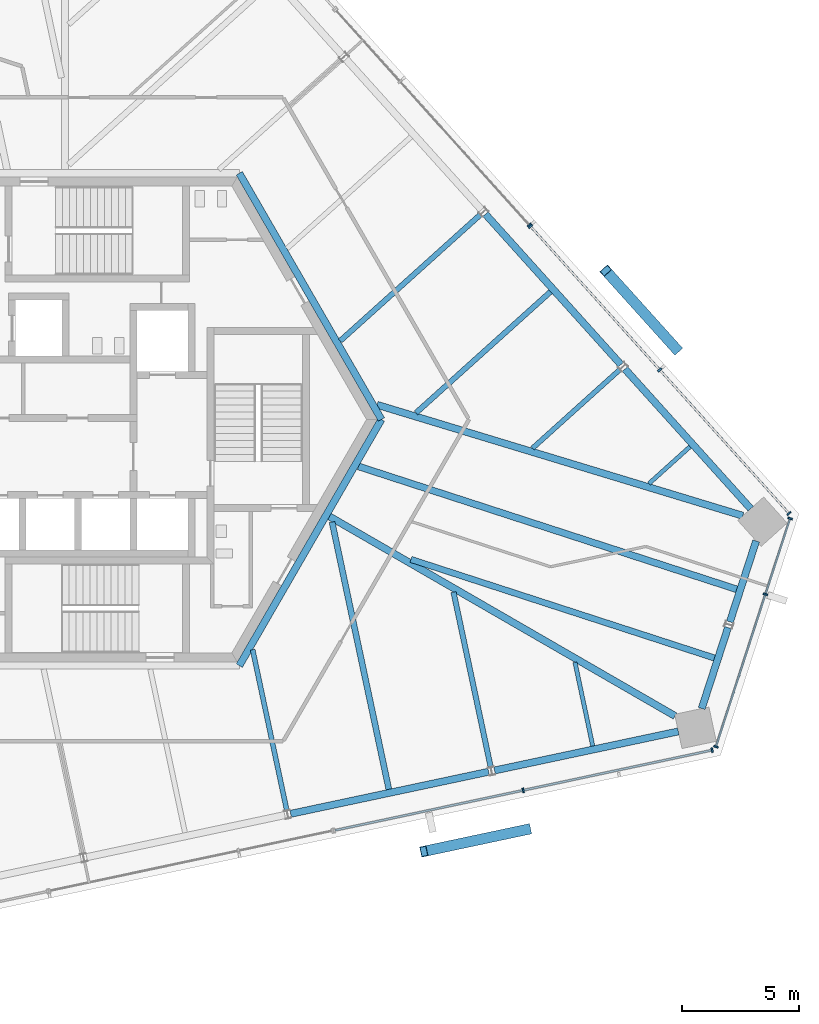
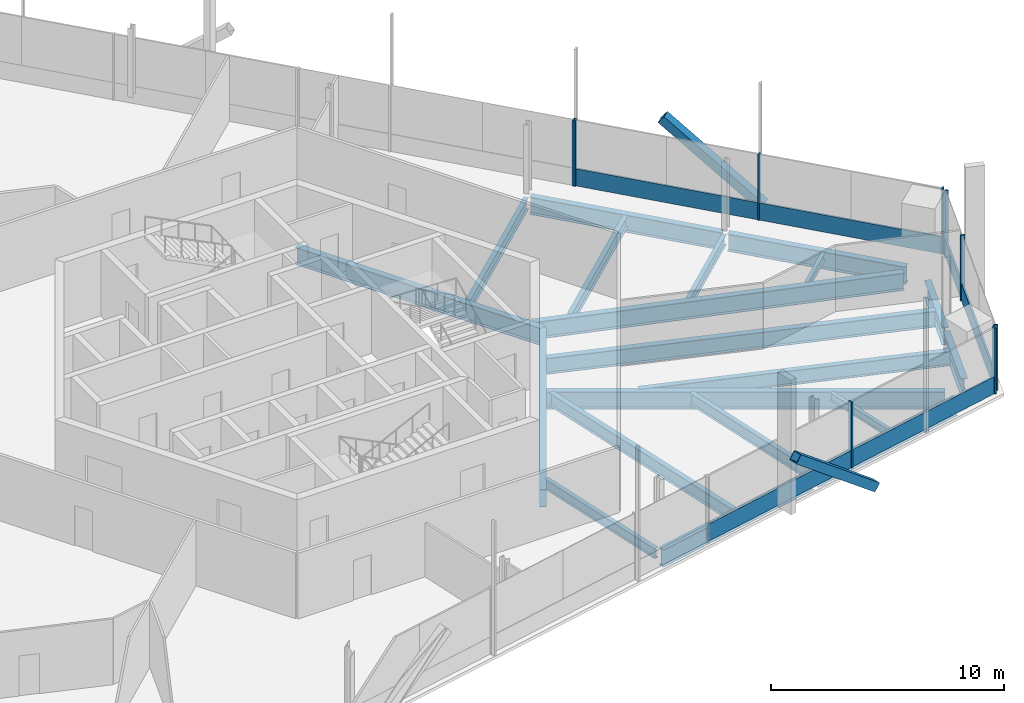
# One storey, part 6 of 16: 20 beams, 17 members, 4 elements without a shape of their own.
"""IFC4 building model written with IfcOpenShell, lengths in metres."""

from ifc_helpers import new_model, si_unit, direction, frame, origin, origin_2d, place, context, subcontext, project, spatial, rectangle, hollow_rectangle, i_section, extrude, source, transform, mapped, material, material_profile, profile_set, type_object, element, aggregate, save


model = new_model("IFC4")

# Units and contexts
model_context = context("Model", 3, precision=1e-05, world=origin(), true_north=direction((0.0, 1.0)))
body_context = subcontext(model_context, "Body", "Model", "MODEL_VIEW")
ifc_project = project(units=[si_unit("LENGTHUNIT", "METRE"), si_unit("AREAUNIT", "SQUARE_METRE"), si_unit("VOLUMEUNIT", "CUBIC_METRE"), si_unit("PLANEANGLEUNIT", "RADIAN"), si_unit("MASSUNIT", "GRAM", prefix="KILO")], contexts=[model_context])

# Site, building, storey
site_placement = place(None, origin())
site = spatial("IfcSite", under=ifc_project, at=site_placement, CompositionType="ELEMENT")
building_placement = place(site_placement, origin())
building = spatial("IfcBuilding", under=site, at=building_placement, Name="Triune Harvest Tower", CompositionType="ELEMENT")
storey_placement = place(building_placement, frame((0.0, 0.0, 266.699951171875)))
storey = spatial("IfcBuildingStorey", under=building, at=storey_placement, Name="L70", CompositionType="ELEMENT", Elevation=266.699951171875)

# Beams
ifc_material_1 = material(Name="Steel ASTM A992 Gr 50", Category="steel")
ifc_material_profile_1 = material_profile(ifc_material_1, i_section(OverallWidth=0.3046875, OverallDepth=0.914306640625, WebThickness=0.0166015625, FlangeThickness=0.02587890625, at=origin_2d()), Name="W36x160")
ifc_profile_set_1 = profile_set([ifc_material_profile_1], Name="Steel ASTM A992 Gr 50")
beam_type_1 = type_object("IfcBeamType", Name="CG-1 Core ring girder W36x160", PredefinedType="BEAM", material=ifc_profile_set_1)
shared_shape_1 = source(origin(), body_context, "Body", "SweptSolid", [
    extrude(i_section(OverallWidth=0.3046875, OverallDepth=0.914306640625, WebThickness=0.0166015625, FlangeThickness=0.02587890625, at=origin_2d()), origin(), (0.0, 0.0, 1.0), 12.176025390625),
])
for number, where, z_axis, x_axis, name in (
    (1, (12.176025390625, 0.0, -0.6171875), (-0.5000099932, 0.866019634131, 0.0), (-0.866019634131, -0.5000099932, 0.0), "beam/L70/CG1"),
    (2, (6.087890625, -10.544677734375, -0.6171875), (0.5000099932, 0.866019634131, 0.0), (-0.866019634131, 0.5000099932, 0.0), "beam/L70/CG6"),
):
    element("IfcBeam", number, at=place(storey_placement, frame(where, z_axis=z_axis, x_axis=x_axis)), inside=storey, type_object=beam_type_1, Name=name, PredefinedType="BEAM", context=body_context, shape_type="MappedRepresentation", body=[
        mapped(shared_shape_1, transform((0.0, 0.0, 0.0), scale=1.0)),
    ])
ifc_material_2 = material(Name="Steel ASTM A992 Gr 50", Category="steel")
ifc_material_profile_2 = material_profile(ifc_material_2, i_section(OverallWidth=0.3046875, OverallDepth=0.914306640625, WebThickness=0.0166015625, FlangeThickness=0.02587890625, at=origin_2d()), Name="W36x160")
ifc_profile_set_2 = profile_set([ifc_material_profile_2], Name="Steel ASTM A992 Gr 50")
beam_type_2 = type_object("IfcBeamType", Name="SB-1 Spandrel beam W36x160", PredefinedType="SPANDREL", material=ifc_profile_set_2)
shared_shape_2 = source(origin(), body_context, "Body", "SweptSolid", [
    extrude(i_section(OverallWidth=0.3046875, OverallDepth=0.914306640625, WebThickness=0.0166015625, FlangeThickness=0.02587890625, at=origin_2d()), origin(), (0.0, 0.0, 1.0), 8.0498046875),
])
beam_1_placement = place(storey_placement, frame((27.991455078125, -3.82177734375, -0.6171875), z_axis=(-0.669137301084, 0.743138797465, 0.0), x_axis=(-0.743138797465, -0.669137301084, 0.0)))
element("IfcBeam", 3, at=beam_1_placement, inside=storey, type_object=beam_type_2, Name="beam/L70/SB1", PredefinedType="SPANDREL", context=body_context, shape_type="MappedRepresentation", body=[
    mapped(shared_shape_2, transform((0.0, 0.0, 0.0), scale=1.0)),
])
shared_shape_3 = source(origin(), body_context, "Body", "SweptSolid", [
    extrude(i_section(OverallWidth=0.3046875, OverallDepth=0.914306640625, WebThickness=0.0166015625, FlangeThickness=0.02587890625, at=origin_2d()), origin(), (0.0, 0.0, 1.0), 8.671630859375),
])
beam_2_placement = place(storey_placement, frame((22.433349609375, 2.350830078125, -0.6171875), z_axis=(-0.669114044563, 0.743159737452, 0.0), x_axis=(-0.743159737452, -0.669114044563, 0.0)))
element("IfcBeam", 4, at=beam_2_placement, inside=storey, type_object=beam_type_2, Name="beam/L70/SB2", PredefinedType="SPANDREL", context=body_context, shape_type="MappedRepresentation", body=[
    mapped(shared_shape_3, transform((0.0, 0.0, 0.0), scale=1.0)),
])
shared_shape_4 = source(origin(), body_context, "Body", "SweptSolid", [
    extrude(i_section(OverallWidth=0.3046875, OverallDepth=0.914306640625, WebThickness=0.0166015625, FlangeThickness=0.02587890625, at=origin_2d()), origin(), (0.0, 0.0, 1.0), 8.67138671875),
])
beam_3_placement = place(storey_placement, frame((8.28515625, -16.890869140625, -0.6171875), z_axis=(0.978145539793, 0.207921386546, 0.0), x_axis=(-0.207921386546, 0.978145539793, 0.0)))
element("IfcBeam", 5, at=beam_3_placement, inside=storey, type_object=beam_type_2, Name="beam/L70/SB18", PredefinedType="SPANDREL", context=body_context, shape_type="MappedRepresentation", body=[
    mapped(shared_shape_4, transform((0.0, 0.0, 0.0), scale=1.0)),
])
shared_shape_5 = source(origin(), body_context, "Body", "SweptSolid", [
    extrude(i_section(OverallWidth=0.3046875, OverallDepth=0.914306640625, WebThickness=0.0166015625, FlangeThickness=0.02587890625, at=origin_2d()), origin(), (0.0, 0.0, 1.0), 3.645751953125),
])
for number, where, z_axis, x_axis, name in (
    (6, (25.89306640625, -12.38134765625, -0.6171875), (0.309046702753, 0.951046862945, 0.0), (-0.951046862945, 0.309046702753, 0.0), "beam/L70/SB20"),
    (7, (27.09912109375, -8.670166015625, -0.6171875), (0.308986131058, 0.951066543841, 0.0), (-0.951066543841, 0.308986131058, 0.0), "beam/L70/SB21"),
):
    element("IfcBeam", number, at=place(storey_placement, frame(where, z_axis=z_axis, x_axis=x_axis)), inside=storey, type_object=beam_type_2, Name=name, PredefinedType="SPANDREL", context=body_context, shape_type="MappedRepresentation", body=[
        mapped(shared_shape_5, transform((0.0, 0.0, 0.0), scale=1.0)),
    ])
shared_shape_6 = source(origin(), body_context, "Body", "SweptSolid", [
    extrude(i_section(OverallWidth=0.3046875, OverallDepth=0.914306640625, WebThickness=0.0166015625, FlangeThickness=0.02587890625, at=origin_2d()), origin(), (0.0, 0.0, 1.0), 8.049560546875),
])
beam_4_placement = place(storey_placement, frame((17.01806640625, -15.034423828125, -0.6171875), z_axis=(0.978148597907, 0.207906999431, 0.0), x_axis=(-0.207906999431, 0.978148597907, 0.0)))
element("IfcBeam", 8, at=beam_4_placement, inside=storey, type_object=beam_type_2, Name="beam/L70/SB19", PredefinedType="SPANDREL", context=body_context, shape_type="MappedRepresentation", body=[
    mapped(shared_shape_6, transform((0.0, 0.0, 0.0), scale=1.0)),
])
ifc_material_3 = material(Name="Steel ASTM A992 Gr 50", Category="steel")
ifc_material_profile_3 = material_profile(ifc_material_3, i_section(OverallWidth=0.3046875, OverallDepth=0.914306640625, WebThickness=0.0166015625, FlangeThickness=0.02587890625, at=origin_2d()), Name="W36x160")
ifc_profile_set_3 = profile_set([ifc_material_profile_3], Name="Steel ASTM A992 Gr 50")
beam_type_3 = type_object("IfcBeamType", Name="HG-3 Hip girder W36x160", PredefinedType="BEAM", material=ifc_profile_set_3)
shared_shape_7 = source(origin(), body_context, "Body", "SweptSolid", [
    extrude(i_section(OverallWidth=0.3046875, OverallDepth=0.914306640625, WebThickness=0.0166015625, FlangeThickness=0.02587890625, at=origin_2d()), origin(), (0.0, 0.0, 1.0), 16.370361328125),
])
beam_5_placement = place(storey_placement, frame((27.65478515625, -4.124755859375, -0.6171875), z_axis=(-0.956924757428, 0.29033602708, 0.0), x_axis=(-0.29033602708, -0.956924757428, 0.0)))
element("IfcBeam", 9, at=beam_5_placement, inside=storey, type_object=beam_type_3, Name="beam/L70/HG1", PredefinedType="BEAM", context=body_context, shape_type="MappedRepresentation", body=[
    mapped(shared_shape_7, transform((0.0, 0.0, 0.0), scale=1.0)),
])
shared_shape_8 = source(origin(), body_context, "Body", "SweptSolid", [
    extrude(i_section(OverallWidth=0.3046875, OverallDepth=0.914306640625, WebThickness=0.0166015625, FlangeThickness=0.02587890625, at=origin_2d()), origin(), (0.0, 0.0, 1.0), 17.088623046875),
])
beam_6_placement = place(storey_placement, frame((24.75146484375, -12.700439453125, -0.6171875), z_axis=(-0.866020709961, 0.500008129852, 0.0), x_axis=(-0.500008129852, -0.866020709961, 0.0)))
element("IfcBeam", 10, at=beam_6_placement, inside=storey, type_object=beam_type_3, Name="beam/L70/HG8", PredefinedType="BEAM", context=body_context, shape_type="MappedRepresentation", body=[
    mapped(shared_shape_8, transform((0.0, 0.0, 0.0), scale=1.0)),
])
ifc_material_4 = material(Name="Steel ASTM A992 Gr 50", Category="steel")
ifc_material_profile_4 = material_profile(ifc_material_4, i_section(OverallWidth=0.180908203125, OverallDepth=0.41650390625, WebThickness=0.010986328125, FlangeThickness=0.01806640625, at=origin_2d()), Name="W16x57")
ifc_profile_set_4 = profile_set([ifc_material_profile_4], Name="Steel ASTM A992 Gr 50")
beam_type_4 = type_object("IfcBeamType", Name="JT-1 Floor joist W16x57", PredefinedType="JOIST", material=ifc_profile_set_4)
shared_shape_9 = source(origin(), body_context, "Body", "SweptSolid", [
    extrude(i_section(OverallWidth=0.180908203125, OverallDepth=0.41650390625, WebThickness=0.010986328125, FlangeThickness=0.01806640625, at=origin_2d()), origin(), (0.0, 0.0, 1.0), 2.364990234375),
])
beam_7_placement = place(storey_placement, frame((25.39306640625, -1.163818359375, -0.3681640625), z_axis=(-0.743196605909, -0.669073093888, 0.0), x_axis=(0.669073093888, -0.743196605909, 0.0)))
element("IfcBeam", 11, at=beam_7_placement, inside=storey, type_object=beam_type_4, Name="beam/L70/JT1", PredefinedType="JOIST", context=body_context, shape_type="MappedRepresentation", body=[
    mapped(shared_shape_9, transform((0.0, 0.0, 0.0), scale=1.0)),
])
ifc_material_5 = material(Name="Steel ASTM A992 Gr 50", Category="steel")
ifc_material_profile_5 = material_profile(ifc_material_5, i_section(OverallWidth=0.2099609375, OverallDepth=0.535888671875, WebThickness=0.010986328125, FlangeThickness=0.017333984375, at=origin_2d()), Name="W21x68")
ifc_profile_set_5 = profile_set([ifc_material_profile_5], Name="Steel ASTM A992 Gr 50")
beam_type_5 = type_object("IfcBeamType", Name="JT-2 Floor joist W21x68", PredefinedType="JOIST", material=ifc_profile_set_5)
shared_shape_10 = source(origin(), body_context, "Body", "SweptSolid", [
    extrude(i_section(OverallWidth=0.2099609375, OverallDepth=0.535888671875, WebThickness=0.010986328125, FlangeThickness=0.017333984375, at=origin_2d()), origin(), (0.0, 0.0, 1.0), 5.031982421875),
])
beam_8_placement = place(storey_placement, frame((22.38525390625, 2.135009765625, -0.427978515625), z_axis=(-0.743132491089, -0.669144304831, 0.0), x_axis=(0.669144304831, -0.743132491089, 0.0)))
element("IfcBeam", 12, at=beam_8_placement, inside=storey, type_object=beam_type_5, Name="beam/L70/JT2", PredefinedType="JOIST", context=body_context, shape_type="MappedRepresentation", body=[
    mapped(shared_shape_10, transform((0.0, 0.0, 0.0), scale=1.0)),
])
ifc_material_6 = material(Name="Steel ASTM A992 Gr 50", Category="steel")
ifc_material_profile_6 = material_profile(ifc_material_6, i_section(OverallWidth=0.22900390625, OverallDepth=0.612060546875, WebThickness=0.011962890625, FlangeThickness=0.01953125, at=origin_2d()), Name="W24x84")
ifc_profile_set_6 = profile_set([ifc_material_profile_6], Name="Steel ASTM A992 Gr 50")
beam_type_6 = type_object("IfcBeamType", Name="JT-3 Floor joist W24x84", PredefinedType="JOIST", material=ifc_profile_set_6)
shared_shape_11 = source(origin(), body_context, "Body", "SweptSolid", [
    extrude(i_section(OverallWidth=0.22900390625, OverallDepth=0.612060546875, WebThickness=0.011962890625, FlangeThickness=0.01953125, at=origin_2d()), origin(), (0.0, 0.0, 1.0), 7.755126953125),
])
beam_9_placement = place(storey_placement, frame((19.4189453125, 5.470947265625, -0.466064453125), z_axis=(-0.743143852868, -0.66913168655, 0.0), x_axis=(0.66913168655, -0.743143852868, 0.0)))
element("IfcBeam", 13, at=beam_9_placement, inside=storey, type_object=beam_type_6, Name="beam/L70/JT3", PredefinedType="JOIST", context=body_context, shape_type="MappedRepresentation", body=[
    mapped(shared_shape_11, transform((0.0, 0.0, 0.0), scale=1.0)),
])
shared_shape_12 = source(origin(), body_context, "Body", "SweptSolid", [
    extrude(i_section(OverallWidth=0.22900390625, OverallDepth=0.612060546875, WebThickness=0.011962890625, FlangeThickness=0.01953125, at=origin_2d()), origin(), (0.0, 0.0, 1.0), 8.076904296875),
])
beam_10_placement = place(storey_placement, frame((16.4111328125, 8.769775390625, -0.466064453125), z_axis=(-0.743136309392, -0.669140064308, 0.0), x_axis=(0.669140064308, -0.743136309392, 0.0)))
element("IfcBeam", 14, at=beam_10_placement, inside=storey, type_object=beam_type_6, Name="beam/L70/JT4", PredefinedType="JOIST", context=body_context, shape_type="MappedRepresentation", body=[
    mapped(shared_shape_12, transform((0.0, 0.0, 0.0), scale=1.0)),
])
shared_shape_13 = source(origin(), body_context, "Body", "SweptSolid", [
    extrude(i_section(OverallWidth=0.2099609375, OverallDepth=0.535888671875, WebThickness=0.010986328125, FlangeThickness=0.017333984375, at=origin_2d()), origin(), (0.0, 0.0, 1.0), 7.035400390625),
])
beam_11_placement = place(storey_placement, frame((8.122314453125, -16.7412109375, -0.427978515625), z_axis=(-0.207933876112, 0.978142884841, 0.0), x_axis=(-0.978142884841, -0.207933876112, 0.0)))
element("IfcBeam", 15, at=beam_11_placement, inside=storey, type_object=beam_type_5, Name="beam/L70/JT28", PredefinedType="JOIST", context=body_context, shape_type="MappedRepresentation", body=[
    mapped(shared_shape_13, transform((0.0, 0.0, 0.0), scale=1.0)),
])
ifc_material_7 = material(Name="Steel ASTM A992 Gr 50", Category="steel")
ifc_material_profile_7 = material_profile(ifc_material_7, i_section(OverallWidth=0.253662109375, OverallDepth=0.683349609375, WebThickness=0.012451171875, FlangeThickness=0.01904296875, at=origin_2d()), Name="W27x94")
ifc_profile_set_7 = profile_set([ifc_material_profile_7], Name="Steel ASTM A992 Gr 50")
beam_type_7 = type_object("IfcBeamType", Name="JT-4 Floor joist W27x94", PredefinedType="JOIST", material=ifc_profile_set_7)
shared_shape_14 = source(origin(), body_context, "Body", "SweptSolid", [
    extrude(i_section(OverallWidth=0.253662109375, OverallDepth=0.683349609375, WebThickness=0.012451171875, FlangeThickness=0.01904296875, at=origin_2d()), origin(), (0.0, 0.0, 1.0), 11.70068359375),
])
beam_12_placement = place(storey_placement, frame((12.494384765625, -15.84033203125, -0.50146484375), z_axis=(-0.207902925765, 0.978149463762, 0.0), x_axis=(-0.978149463762, -0.207902925765, 0.0)))
element("IfcBeam", 16, at=beam_12_placement, inside=storey, type_object=beam_type_7, Name="beam/L70/JT29", PredefinedType="JOIST", context=body_context, shape_type="MappedRepresentation", body=[
    mapped(shared_shape_14, transform((0.0, 0.0, 0.0), scale=1.0)),
])
shared_shape_15 = source(origin(), body_context, "Body", "SweptSolid", [
    extrude(i_section(OverallWidth=0.22900390625, OverallDepth=0.612060546875, WebThickness=0.011962890625, FlangeThickness=0.01953125, at=origin_2d()), origin(), (0.0, 0.0, 1.0), 7.6533203125),
])
beam_13_placement = place(storey_placement, frame((16.85498046875, -14.884765625, -0.466064453125), z_axis=(-0.207892711211, 0.978151634781, 0.0), x_axis=(-0.978151634781, -0.207892711211, 0.0)))
element("IfcBeam", 17, at=beam_13_placement, inside=storey, type_object=beam_type_6, Name="beam/L70/JT30", PredefinedType="JOIST", context=body_context, shape_type="MappedRepresentation", body=[
    mapped(shared_shape_15, transform((0.0, 0.0, 0.0), scale=1.0)),
])
shared_shape_16 = source(origin(), body_context, "Body", "SweptSolid", [
    extrude(i_section(OverallWidth=0.180908203125, OverallDepth=0.41650390625, WebThickness=0.010986328125, FlangeThickness=0.01806640625, at=origin_2d()), origin(), (0.0, 0.0, 1.0), 3.661865234375),
])
beam_14_placement = place(storey_placement, frame((21.227294921875, -13.98388671875, -0.3681640625), z_axis=(-0.20788506993, 0.9781532588, 0.0), x_axis=(-0.9781532588, -0.20788506993, 0.0)))
element("IfcBeam", 18, at=beam_14_placement, inside=storey, type_object=beam_type_4, Name="beam/L70/JT31", PredefinedType="JOIST", context=body_context, shape_type="MappedRepresentation", body=[
    mapped(shared_shape_16, transform((0.0, 0.0, 0.0), scale=1.0)),
])
ifc_material_8 = material(Name="Steel ASTM A992 Gr 50", Category="steel")
ifc_material_profile_8 = material_profile(ifc_material_8, i_section(OverallWidth=0.2666015625, OverallDepth=0.7568359375, WebThickness=0.013916015625, FlangeThickness=0.019287109375, at=origin_2d()), Name="W30x108")
ifc_profile_set_8 = profile_set([ifc_material_profile_8], Name="Steel ASTM A992 Gr 50")
beam_type_8 = type_object("IfcBeamType", Name="JT-5 Floor joist W30x108", PredefinedType="JOIST", material=ifc_profile_set_8)
shared_shape_17 = source(origin(), body_context, "Body", "SweptSolid", [
    extrude(i_section(OverallWidth=0.2666015625, OverallDepth=0.7568359375, WebThickness=0.013916015625, FlangeThickness=0.019287109375, at=origin_2d()), origin(), (0.0, 0.0, 1.0), 13.667724609375),
])
beam_15_placement = place(storey_placement, frame((26.4365234375, -10.216064453125, -0.538330078125), z_axis=(-0.951054938162, 0.309021851327, 0.0), x_axis=(-0.309021851327, -0.951054938162, 0.0)))
element("IfcBeam", 19, at=beam_15_placement, inside=storey, type_object=beam_type_8, Name="beam/L70/JT32", PredefinedType="JOIST", context=body_context, shape_type="MappedRepresentation", body=[
    mapped(shared_shape_17, transform((0.0, 0.0, 0.0), scale=1.0)),
])
ifc_material_9 = material(Name="Steel ASTM A992 Gr 50", Category="steel")
ifc_material_profile_9 = material_profile(ifc_material_9, i_section(OverallWidth=0.2919921875, OverallDepth=0.8408203125, WebThickness=0.0146484375, FlangeThickness=0.021728515625, at=origin_2d()), Name="W33x130")
ifc_profile_set_9 = profile_set([ifc_material_profile_9], Name="Steel ASTM A992 Gr 50")
beam_type_9 = type_object("IfcBeamType", Name="JT-6 Floor joist W33x130", PredefinedType="JOIST", material=ifc_profile_set_9)
shared_shape_18 = source(origin(), body_context, "Body", "SweptSolid", [
    extrude(i_section(OverallWidth=0.2919921875, OverallDepth=0.8408203125, WebThickness=0.0146484375, FlangeThickness=0.021728515625, at=origin_2d()), origin(), (0.0, 0.0, 1.0), 17.03466796875),
])
beam_16_placement = place(storey_placement, frame((27.392333984375, -7.27392578125, -0.580322265625), z_axis=(-0.951057974177, 0.30901250744, 0.0), x_axis=(-0.30901250744, -0.951057974177, 0.0)))
element("IfcBeam", 20, at=beam_16_placement, inside=storey, type_object=beam_type_9, Name="beam/L70/JT33", PredefinedType="JOIST", context=body_context, shape_type="MappedRepresentation", body=[
    mapped(shared_shape_18, transform((0.0, 0.0, 0.0), scale=1.0)),
])

# Members
ifc_material_10 = material(Name="Steel ASTM A572 Gr 50", Category="steel")
ifc_material_profile_10 = material_profile(ifc_material_10, hollow_rectangle(XDim=0.449951171875, YDim=0.449951171875, WallThickness=0.02490234375, at=origin_2d()), Name="Box 450x450x25")
ifc_profile_set_10 = profile_set([ifc_material_profile_10], Name="Steel ASTM A572 Gr 50")
member_type_1 = type_object("IfcMemberType", Name="BR-4 Brace Box 450x450x25", PredefinedType="BRACE", material=ifc_profile_set_10)
shared_shape_19 = source(origin(), body_context, "Body", "SweptSolid", [
    extrude(hollow_rectangle(XDim=0.449951171875, YDim=0.449951171875, WallThickness=0.02490234375, at=origin_2d()), origin(), (0.0, 0.0, 1.0), 5.789306640625),
])
for number, where, z_axis, x_axis, name in (
    (21, (24.818603515625, 3.005615234375, 0.0), (-0.524023993407, 0.581967737729, 0.621862047866), (-0.743133466604, -0.669143221451, 0.0), "brace/B7-F1/d1/3"),
    (22, (18.426513671875, -17.5576171875, 0.0), (-0.766032121269, -0.162779190096, 0.621850242788), (0.207855535691, -0.97815953519, 0.0), "brace/B7-F5/d2/3"),
):
    element("IfcMember", number, at=place(storey_placement, frame(where, z_axis=z_axis, x_axis=x_axis)), inside=storey, type_object=member_type_1, Name=name, PredefinedType="BRACE", context=body_context, shape_type="MappedRepresentation", body=[
        mapped(shared_shape_19, transform((0.0, 0.0, 0.0), scale=1.0)),
    ])

# Curtain wall, members
ifc_material_11 = material(Name="Aluminium bronze anodised", Category="aluminium")
curtain_wall_type_1 = type_object("IfcCurtainWallType", Name="CW-7 Tower stick curtain wall with insulated spandrel infill", PredefinedType="NOTDEFINED", material=ifc_material_11)
curtain_wall_1_placement = place(storey_placement, origin())
curtain_wall_1 = element("IfcCurtainWall", 23, at=curtain_wall_1_placement, inside=storey, type_object=curtain_wall_type_1, Name="CW-7 B7-F1 L70 run 1")
ifc_material_12 = material(Name="Aluminium bronze anodised", Category="aluminium")
ifc_material_profile_11 = material_profile(ifc_material_12, rectangle(XDim=0.199951171875, YDim=0.074951171875, at=origin_2d()), Name="MU-1 mullion 75 x 200")
ifc_profile_set_11 = profile_set([ifc_material_profile_11], Name="Aluminium bronze anodised")
member_type_2 = type_object("IfcMemberType", Name="MU-1 mullion 75 x 200", PredefinedType="MULLION", material=ifc_profile_set_11)
shared_shape_20 = source(origin(), body_context, "Body", "SweptSolid", [
    extrude(rectangle(XDim=0.199951171875, YDim=0.074951171875, at=origin_2d()), origin(), (0.0, 0.0, 1.0), 3.43994140625),
])
member_1_placement = place(storey_placement, frame((29.634033203125, -4.023681640625, 0.0), z_axis=(0.0, 0.0, 1.0), x_axis=(-0.743141787662, -0.66913398018, 0.0)))
member_1 = element("IfcMember", 24, at=member_1_placement, type_object=member_type_2, Name="CW-7 mullion B7-F1 1.1", PredefinedType="MULLION", context=body_context, shape_type="MappedRepresentation", body=[
    mapped(shared_shape_20, transform((0.0, 0.0, 0.0), scale=1.0)),
])
member_2_placement = place(storey_placement, frame((24.09765625, 2.125, 0.0), z_axis=(0.0, 0.0, 1.0), x_axis=(-0.743141787662, -0.66913398018, 0.0)))
member_2 = element("IfcMember", 25, at=member_2_placement, type_object=member_type_2, Name="CW-7 mullion B7-F1 1.3", PredefinedType="MULLION", context=body_context, shape_type="MappedRepresentation", body=[
    mapped(shared_shape_20, transform((0.0, 0.0, 0.0), scale=1.0)),
])
member_3_placement = place(storey_placement, frame((18.561279296875, 8.27392578125, 0.0), z_axis=(0.0, 0.0, 1.0), x_axis=(-0.743141787662, -0.66913398018, 0.0)))
member_3 = element("IfcMember", 26, at=member_3_placement, type_object=member_type_2, Name="CW-7 mullion B7-F1 1.5", PredefinedType="MULLION", context=body_context, shape_type="MappedRepresentation", body=[
    mapped(shared_shape_20, transform((0.0, 0.0, 0.0), scale=1.0)),
])

# Curtain wall, member
ifc_material_13 = material(Name="Aluminium bronze anodised", Category="aluminium")
curtain_wall_type_2 = type_object("IfcCurtainWallType", Name="CW-1 Tower stick curtain wall", PredefinedType="NOTDEFINED", material=ifc_material_13)
curtain_wall_2_placement = place(storey_placement, origin())
curtain_wall_2 = element("IfcCurtainWall", 27, at=curtain_wall_2_placement, inside=storey, type_object=curtain_wall_type_2, Name="CW-1 B7-F1 L70 run 1001")
member_4_placement = place(storey_placement, frame((18.510986328125, 8.32958984375, 0.0), z_axis=(0.0, 0.0, 1.0), x_axis=(-0.743150150549, -0.66912469222, 0.0)))
member_4 = element("IfcMember", 28, at=member_4_placement, type_object=member_type_2, Name="CW-1 mullion B7-F1 1001.1", PredefinedType="MULLION", context=body_context, shape_type="MappedRepresentation", body=[
    mapped(shared_shape_20, transform((0.0, 0.0, 0.0), scale=1.0)),
])
aggregate(curtain_wall_2, [member_4])

# Curtain wall, members
curtain_wall_3_placement = place(storey_placement, origin())
curtain_wall_3 = element("IfcCurtainWall", 29, at=curtain_wall_3_placement, inside=storey, type_object=curtain_wall_type_1, Name="CW-7 B7-F5 L70 run 2001")
member_5_placement = place(storey_placement, frame((18.246337890625, -15.88330078125, 0.0), z_axis=(0.0, 0.0, 1.0), x_axis=(-0.2079086203, 0.978148253388, 0.0)))
member_5 = element("IfcMember", 30, at=member_5_placement, type_object=member_type_2, Name="CW-7 mullion B7-F5 2001.3", PredefinedType="MULLION", context=body_context, shape_type="MappedRepresentation", body=[
    mapped(shared_shape_20, transform((0.0, 0.0, 0.0), scale=1.0)),
])
member_6_placement = place(storey_placement, frame((26.339599609375, -14.1630859375, 0.0), z_axis=(0.0, 0.0, 1.0), x_axis=(-0.2079086203, 0.978148253388, 0.0)))
member_6 = element("IfcMember", 31, at=member_6_placement, type_object=member_type_2, Name="CW-7 mullion B7-F5 2001.5", PredefinedType="MULLION", context=body_context, shape_type="MappedRepresentation", body=[
    mapped(shared_shape_20, transform((0.0, 0.0, 0.0), scale=1.0)),
])

curtain_wall_4_placement = place(storey_placement, origin())
curtain_wall_4 = element("IfcCurtainWall", 32, at=curtain_wall_4_placement, inside=storey, type_object=curtain_wall_type_2, Name="CW-1 B7-F6 L70 run 1")
member_7_placement = place(storey_placement, frame((26.503662109375, -14.015380859375, 0.0), z_axis=(0.0, 0.0, 1.0), x_axis=(-0.951055902733, 0.309018882717, 0.0)))
member_7 = element("IfcMember", 33, at=member_7_placement, type_object=member_type_2, Name="CW-1 mullion B7-F6 1.1", PredefinedType="MULLION", context=body_context, shape_type="MappedRepresentation", body=[
    mapped(shared_shape_20, transform((0.0, 0.0, 0.0), scale=1.0)),
])
member_8_placement = place(storey_placement, frame((28.625, -7.486328125, 0.0), z_axis=(0.0, 0.0, 1.0), x_axis=(-0.951055902733, 0.309018882717, 0.0)))
member_8 = element("IfcMember", 34, at=member_8_placement, type_object=member_type_2, Name="CW-1 mullion B7-F6 1.3", PredefinedType="MULLION", context=body_context, shape_type="MappedRepresentation", body=[
    mapped(shared_shape_20, transform((0.0, 0.0, 0.0), scale=1.0)),
])
member_9_placement = place(storey_placement, frame((29.679931640625, -4.23974609375, 0.0), z_axis=(0.0, 0.0, 1.0), x_axis=(-0.951055902733, 0.309018882717, 0.0)))
member_9 = element("IfcMember", 35, at=member_9_placement, type_object=member_type_2, Name="CW-1 mullion B7-F6 1.4", PredefinedType="MULLION", context=body_context, shape_type="MappedRepresentation", body=[
    mapped(shared_shape_20, transform((0.0, 0.0, 0.0), scale=1.0)),
])
ifc_material_14 = material(Name="Aluminium bronze anodised", Category="aluminium")
ifc_material_profile_12 = material_profile(ifc_material_14, rectangle(XDim=0.090087890625, YDim=0.89990234375, at=origin_2d()), Name="TR-1 transom 90 x 900")
ifc_profile_set_12 = profile_set([ifc_material_profile_12], Name="Aluminium bronze anodised")
member_type_3 = type_object("IfcMemberType", Name="TR-1 transom 90 x 900", PredefinedType="USERDEFINED", material=ifc_profile_set_12)
shared_shape_21 = source(origin(), body_context, "Body", "SweptSolid", [
    extrude(rectangle(XDim=0.090087890625, YDim=0.89990234375, at=origin_2d()), origin(), (0.0, 0.0, 1.0), 6.7900390625),
])
member_10_placement = place(storey_placement, frame((26.515380859375, -13.979736328125, 0.449951171875), z_axis=(0.309002330593, 0.951061280722, 0.0), x_axis=(-0.951061280722, 0.309002330593, 0.0)))
member_10 = element("IfcMember", 36, at=member_10_placement, type_object=member_type_3, Name="CW-1 transom B7-F6 1.1", ObjectType="TRANSOM", PredefinedType="USERDEFINED", context=body_context, shape_type="MappedRepresentation", body=[
    mapped(shared_shape_21, transform((0.0, 0.0, 0.0), scale=1.0)),
])
shared_shape_22 = source(origin(), body_context, "Body", "SweptSolid", [
    extrude(rectangle(XDim=0.090087890625, YDim=0.89990234375, at=origin_2d()), origin(), (0.0, 0.0, 1.0), 3.338623046875),
])
member_11_placement = place(storey_placement, frame((28.63671875, -7.45068359375, 0.449951171875), z_axis=(0.309023240166, 0.951054486892, 0.0), x_axis=(-0.951054486892, 0.309023240166, 0.0)))
member_11 = element("IfcMember", 37, at=member_11_placement, type_object=member_type_3, Name="CW-1 transom B7-F6 1.2", ObjectType="TRANSOM", PredefinedType="USERDEFINED", context=body_context, shape_type="MappedRepresentation", body=[
    mapped(shared_shape_22, transform((0.0, 0.0, 0.0), scale=1.0)),
])
aggregate(curtain_wall_4, [member_7, member_8, member_9, member_10, member_11])

# Member
shared_shape_23 = source(origin(), body_context, "Body", "SweptSolid", [
    extrude(rectangle(XDim=0.090087890625, YDim=0.89990234375, at=origin_2d()), origin(), (0.0, 0.0, 1.0), 8.198974609375),
])
member_12_placement = place(storey_placement, frame((29.60888671875, -3.995849609375, 0.449951171875), z_axis=(-0.669124295874, 0.743150507415, 0.0), x_axis=(-0.743150507415, -0.669124295874, 0.0)))
member_12 = element("IfcMember", 38, at=member_12_placement, type_object=member_type_3, Name="CW-7 transom B7-F1 1.1", ObjectType="TRANSOM", PredefinedType="USERDEFINED", context=body_context, shape_type="MappedRepresentation", body=[
    mapped(shared_shape_23, transform((0.0, 0.0, 0.0), scale=1.0)),
])

member_13_placement = place(storey_placement, frame((24.072509765625, 2.15283203125, 0.449951171875), z_axis=(-0.669140740537, 0.743135700497, 0.0), x_axis=(-0.743135700497, -0.669140740537, 0.0)))
member_13 = element("IfcMember", 39, at=member_13_placement, type_object=member_type_3, Name="CW-7 transom B7-F1 1.2", ObjectType="TRANSOM", PredefinedType="USERDEFINED", context=body_context, shape_type="MappedRepresentation", body=[
    mapped(shared_shape_23, transform((0.0, 0.0, 0.0), scale=1.0)),
])

aggregate(curtain_wall_1, [member_1, member_2, member_3, member_12, member_13])

shared_shape_24 = source(origin(), body_context, "Body", "SweptSolid", [
    extrude(rectangle(XDim=0.090087890625, YDim=0.89990234375, at=origin_2d()), origin(), (0.0, 0.0, 1.0), 8.19921875),
])
member_14_placement = place(storey_placement, frame((10.189697265625, -17.595703125, 0.449951171875), z_axis=(0.978150525776, 0.207897929101, 0.0), x_axis=(-0.207897929101, 0.978150525776, 0.0)))
member_14 = element("IfcMember", 40, at=member_14_placement, type_object=member_type_3, Name="CW-7 transom B7-F5 2001.1", ObjectType="TRANSOM", PredefinedType="USERDEFINED", context=body_context, shape_type="MappedRepresentation", body=[
    mapped(shared_shape_24, transform((0.0, 0.0, 0.0), scale=1.0)),
])

member_15_placement = place(storey_placement, frame((18.282958984375, -15.87548828125, 0.449951171875), z_axis=(0.978150525776, 0.207897929101, 0.0), x_axis=(-0.207897929101, 0.978150525776, 0.0)))
member_15 = element("IfcMember", 41, at=member_15_placement, type_object=member_type_3, Name="CW-7 transom B7-F5 2001.2", ObjectType="TRANSOM", PredefinedType="USERDEFINED", context=body_context, shape_type="MappedRepresentation", body=[
    mapped(shared_shape_24, transform((0.0, 0.0, 0.0), scale=1.0)),
])

aggregate(curtain_wall_3, [member_5, member_6, member_14, member_15])

save(model, "model.ifc")
